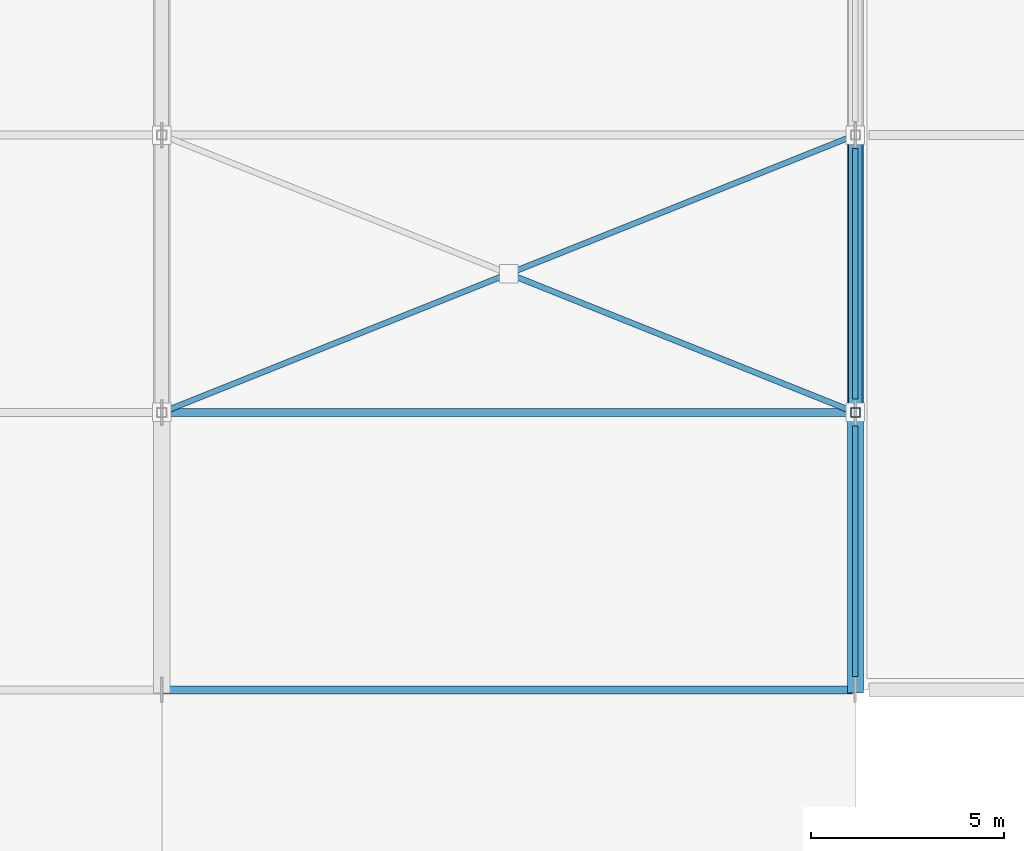
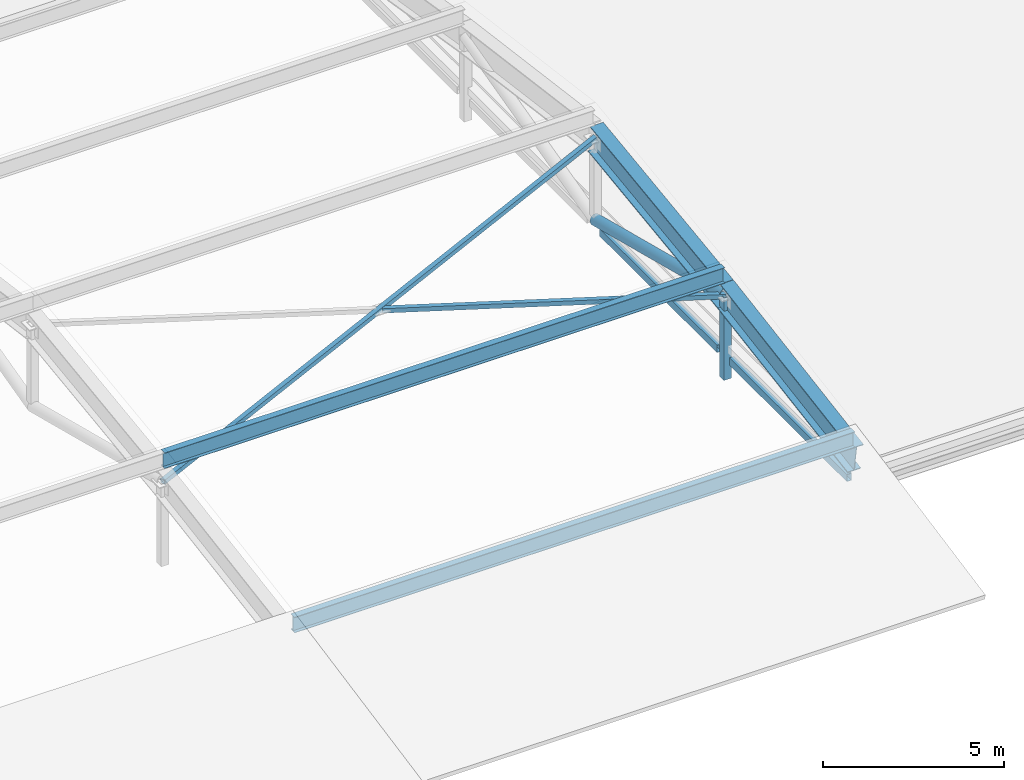
# One storey, part 19 of 78: 8 members, 2 beams.
"""IFC4 building model written with IfcOpenShell, lengths in metres."""

from ifc_helpers import new_model, si_unit, direction, frame, origin, origin_2d, place, context, subcontext, project, spatial, hollow_rectangle, hollow_circle, i_section, extrude, material, material_profile, profile_set, type_object, element, save


model = new_model("IFC4")

# Units and contexts
model_context = context("Model", 3, precision=1e-05, world=origin(), true_north=direction((0.0, 1.0)))
body_context = subcontext(model_context, "Body", "Model", "MODEL_VIEW")
ifc_project = project(units=[si_unit("LENGTHUNIT", "METRE"), si_unit("AREAUNIT", "SQUARE_METRE"), si_unit("VOLUMEUNIT", "CUBIC_METRE"), si_unit("PLANEANGLEUNIT", "RADIAN"), si_unit("MASSUNIT", "GRAM", prefix="KILO")], contexts=[model_context])

# Site, building, storey
site_placement = place(None, origin())
site = spatial("IfcSite", under=ifc_project, at=site_placement, CompositionType="ELEMENT")
building_placement = place(site_placement, origin())
building = spatial("IfcBuilding", under=site, at=building_placement, Name="Celestram Park Convention Centre", CompositionType="ELEMENT")
storey_placement = place(building_placement, frame((0.0, 0.0, 19.800048828125)))
storey = spatial("IfcBuildingStorey", under=building, at=storey_placement, Name="L04", CompositionType="ELEMENT", Elevation=19.800048828125)

# Members
ifc_material_1 = material(Name="Steel ASTM A500 Grade C", Category="steel")
ifc_material_profile_1 = material_profile(ifc_material_1, hollow_circle(Radius=0.177978515625, WallThickness=0.011962890625, at=origin_2d()), Name="CHS356X12")
ifc_profile_set_1 = profile_set([ifc_material_profile_1], Name="Steel ASTM A500 Grade C")
member_type_1 = type_object("IfcMemberType", Name="STR-BRC-CHS356", PredefinedType="BRACE", material=ifc_profile_set_1)
member_1_placement = place(storey_placement, frame((126.0, 57.60009765625, 1.670166015625), z_axis=(0.0, 0.968804355336, -0.247826796536), x_axis=(-1.0, 0.0, 0.0)))
element("IfcMember", 1, at=member_1_placement, inside=storey, type_object=member_type_1, Name="V1 arch web diagonal", PredefinedType="BRACE", context=body_context, shape_type="SweptSolid", body=[
    extrude(hollow_circle(Radius=0.177978515625, WallThickness=0.011962890625, at=origin_2d()), origin(), (0.0, 0.0, 1.0), 7.431884765625),
])
ifc_material_profile_2 = material_profile(ifc_material_1, hollow_rectangle(XDim=0.14990234375, YDim=0.14990234375, WallThickness=0.008056640625, at=origin_2d()), Name="HSS150X150X8")
ifc_profile_set_2 = profile_set([ifc_material_profile_2], Name="Steel ASTM A500 Grade C")
member_type_2 = type_object("IfcMemberType", Name="STR-BRC-HSS150", PredefinedType="BRACE", material=ifc_profile_set_2)
member_2_placement = place(storey_placement, frame((108.0, 57.60009765625, 1.6416015625), z_axis=(0.927345409969, 0.370935648402, 0.049368363907), x_axis=(-0.371388505097, 0.928477559385, 0.0)))
element("IfcMember", 2, at=member_2_placement, inside=storey, type_object=member_type_2, Name="Roof lateral continuous wind X-brace", PredefinedType="BRACE", context=body_context, shape_type="SweptSolid", body=[
    extrude(hollow_rectangle(XDim=0.14990234375, YDim=0.14990234375, WallThickness=0.008056640625, at=origin_2d()), origin(), (0.0, 0.0, 1.0), 19.41015625),
])
member_3_placement = place(storey_placement, frame((126.0, 57.60009765625, 1.6416015625), z_axis=(-0.927347228537, 0.370928740108, 0.049386106202), x_axis=(-0.37138191452, -0.928480195571, 0.0)))
element("IfcMember", 3, at=member_3_placement, inside=storey, type_object=member_type_2, Name="Roof lateral split wind X-brace lower half", PredefinedType="BRACE", context=body_context, shape_type="SweptSolid", body=[
    extrude(hollow_rectangle(XDim=0.14990234375, YDim=0.14990234375, WallThickness=0.008056640625, at=origin_2d()), origin(), (0.0, 0.0, 1.0), 9.6201171875),
])
ifc_material_2 = material(Name="Steel ASTM A992 Grade 50", Category="steel")
ifc_material_profile_3 = material_profile(ifc_material_2, i_section(OverallWidth=0.4189453125, OverallDepth=0.927001953125, WebThickness=0.019287109375, FlangeThickness=0.031982421875, at=origin_2d()), Name="W36X231")
ifc_profile_set_3 = profile_set([ifc_material_profile_3], Name="Steel ASTM A992 Grade 50")
member_type_3 = type_object("IfcMemberType", Name="STR-CHD-W36X231", PredefinedType="CHORD", material=ifc_profile_set_3)
member_4_placement = place(storey_placement, frame((126.0, 50.39990234375, 0.481689453125), z_axis=(0.0, 0.986649508872, 0.162858056734), x_axis=(-1.0, 0.0, 0.0)))
element("IfcMember", 4, at=member_4_placement, inside=storey, type_object=member_type_3, Name="V1 arch top chord", PredefinedType="CHORD", context=body_context, shape_type="SweptSolid", body=[
    extrude(i_section(OverallWidth=0.4189453125, OverallDepth=0.927001953125, WebThickness=0.019287109375, FlangeThickness=0.031982421875, at=origin_2d()), origin(), (0.0, 0.0, 1.0), 7.297607421875),
])
member_5_placement = place(storey_placement, frame((126.0, 57.60009765625, 1.670166015625), z_axis=(0.0, 0.991259283276, 0.131928136952), x_axis=(-1.0, 0.0, 0.0)))
element("IfcMember", 5, at=member_5_placement, inside=storey, type_object=member_type_3, Name="V1 arch top chord", PredefinedType="CHORD", context=body_context, shape_type="SweptSolid", body=[
    extrude(i_section(OverallWidth=0.4189453125, OverallDepth=0.927001953125, WebThickness=0.019287109375, FlangeThickness=0.031982421875, at=origin_2d()), origin(), (0.0, 0.0, 1.0), 7.263427734375),
])
ifc_material_profile_4 = material_profile(ifc_material_2, i_section(OverallWidth=0.2099609375, OverallDepth=0.532958984375, WebThickness=0.01025390625, FlangeThickness=0.015625, at=origin_2d()), Name="W21X62")
ifc_profile_set_4 = profile_set([ifc_material_profile_4], Name="Steel ASTM A992 Grade 50")
member_type_4 = type_object("IfcMemberType", Name="STR-RFT-W21X62", PredefinedType="RAFTER", material=ifc_profile_set_4)
for number, where, z_axis, x_axis, name in (
    (6, (108.0, 50.39990234375, 1.211669921875), (1.0, 0.0, 0.0), (0.0, 1.0, 0.0), "V1 roof purlin"),
    (7, (108.0, 57.60009765625, 2.400146484375), (1.0, 0.0, 0.0), (0.0, 1.0, 0.0), "V1 roof purlin"),
):
    element("IfcMember", number, at=place(storey_placement, frame(where, z_axis=z_axis, x_axis=x_axis)), inside=storey, type_object=member_type_4, Name=name, PredefinedType="RAFTER", context=body_context, shape_type="SweptSolid", body=[
        extrude(i_section(OverallWidth=0.2099609375, OverallDepth=0.532958984375, WebThickness=0.01025390625, FlangeThickness=0.015625, at=origin_2d()), origin(), (0.0, 0.0, 1.0), 17.919921875),
    ])

# Beams
ifc_material_profile_5 = material_profile(ifc_material_1, hollow_rectangle(XDim=0.14990234375, YDim=0.25, WallThickness=0.010009765625, at=origin_2d()), Name="HSS250X150X10")
ifc_profile_set_5 = profile_set([ifc_material_profile_5], Name="Steel ASTM A500 Grade C")
beam_type = type_object("IfcBeamType", Name="STR-SPN-HSS250X150", PredefinedType="SPANDREL", material=ifc_profile_set_5)
for number, where, z_axis, x_axis, name in (
    (8, (126.0, 50.748046875, -0.364990234375), (0.0, 1.0, 0.0), (-1.0, 0.0, 0.0), "Primary Y-girder BG-L04-0148"),
    (9, (126.0, 57.947998046875, -0.364990234375), (0.0, 1.0, 0.0), (-1.0, 0.0, 0.0), "Primary Y-girder BG-L04-0149"),
):
    element("IfcBeam", number, at=place(storey_placement, frame(where, z_axis=z_axis, x_axis=x_axis)), inside=storey, type_object=beam_type, Name=name, PredefinedType="SPANDREL", context=body_context, shape_type="SweptSolid", body=[
        extrude(hollow_rectangle(XDim=0.14990234375, YDim=0.25, WallThickness=0.010009765625, at=origin_2d()), origin(), (0.0, 0.0, 1.0), 6.50390625),
    ])

# Member
ifc_material_profile_6 = material_profile(ifc_material_1, hollow_rectangle(XDim=0.25, YDim=0.25, WallThickness=0.011962890625, at=origin_2d()), Name="HSS250X250X12")
ifc_profile_set_6 = profile_set([ifc_material_profile_6], Name="Steel ASTM A500 Grade C")
member_type_5 = type_object("IfcMemberType", Name="STR-STR-HSS250", PredefinedType="STRUT", material=ifc_profile_set_6)
member_6_placement = place(storey_placement, frame((126.0, 57.60009765625, -1.1298828125), z_axis=(0.0, 0.0, 1.0), x_axis=(1.0, 0.0, 0.0)))
element("IfcMember", 10, at=member_6_placement, inside=storey, type_object=member_type_5, Name="V1 arch vertical strut", PredefinedType="STRUT", context=body_context, shape_type="SweptSolid", body=[
    extrude(hollow_rectangle(XDim=0.25, YDim=0.25, WallThickness=0.011962890625, at=origin_2d()), origin(), (0.0, 0.0, 1.0), 2.800048828125),
])

save(model, "model.ifc")
